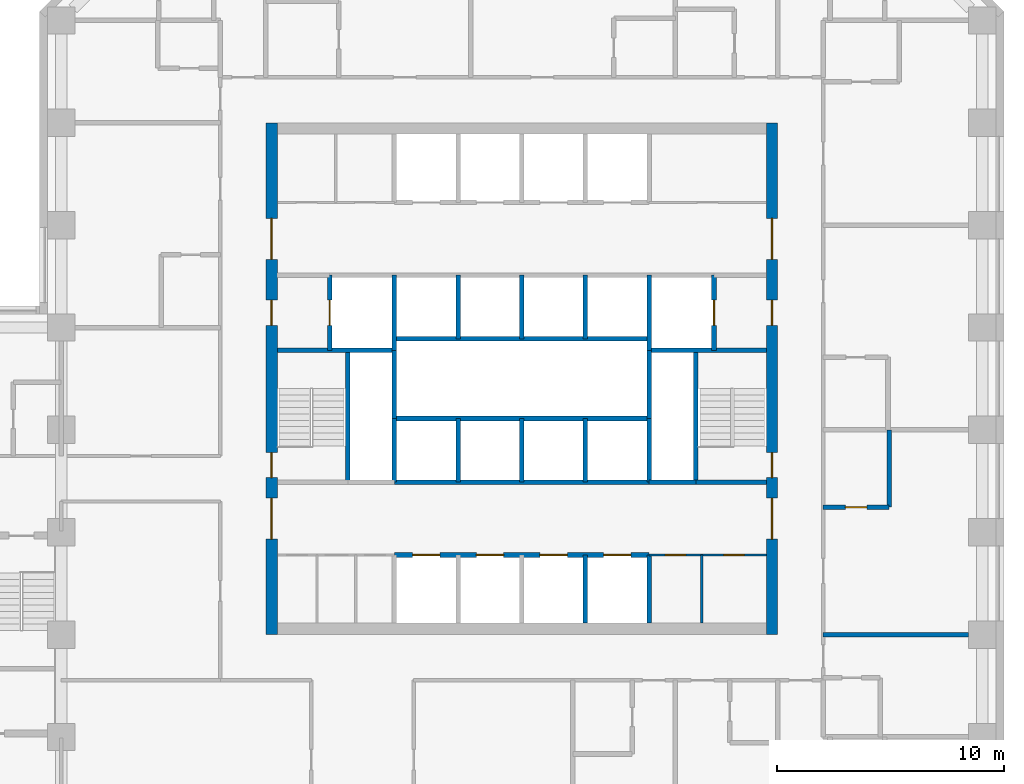
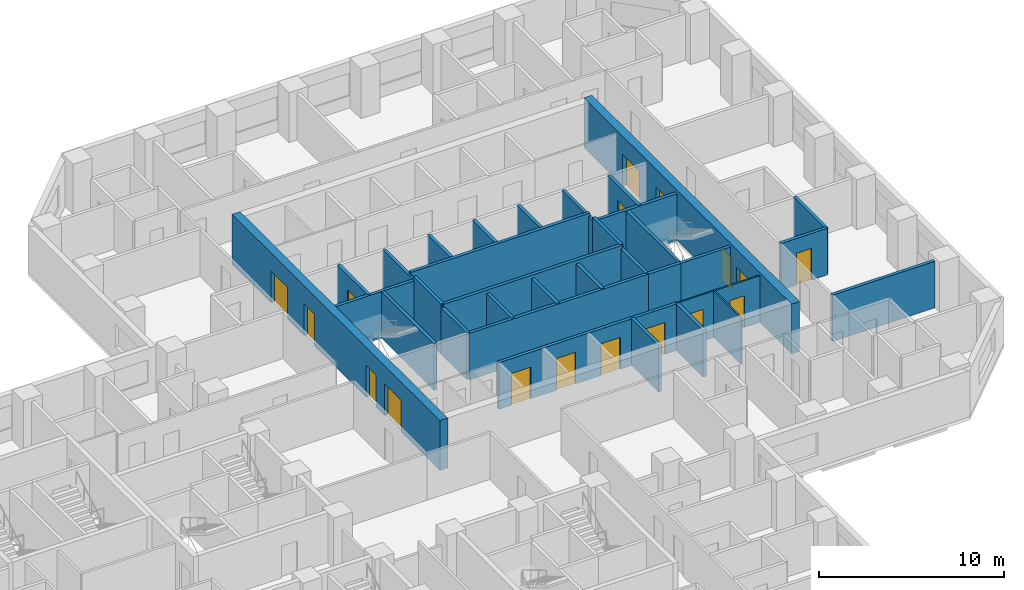
# One storey, part 8 of 12: 33 walls, 17 doors, 17 openings.
"""IFC4 building model written with IfcOpenShell, lengths in metres."""

from ifc_helpers import new_model, si_unit, direction, frame, frame_2d, origin, place, context, subcontext, project, spatial, rectangle, extrude, material, layer, layer_set, type_object, element, fill, save


model = new_model("IFC4")

# Units and contexts
model_context = context("Model", 3, precision=1e-05, world=origin(), true_north=direction((0.0, 1.0)))
body_context = subcontext(model_context, "Body", "Model", "MODEL_VIEW")
ifc_project = project(units=[si_unit("LENGTHUNIT", "METRE"), si_unit("AREAUNIT", "SQUARE_METRE"), si_unit("VOLUMEUNIT", "CUBIC_METRE"), si_unit("PLANEANGLEUNIT", "RADIAN"), si_unit("MASSUNIT", "GRAM", prefix="KILO")], contexts=[model_context])

# Site, building, storey
site_placement = place(None, origin())
site = spatial("IfcSite", under=ifc_project, at=site_placement, CompositionType="ELEMENT")
building_placement = place(site_placement, origin())
building = spatial("IfcBuilding", under=site, at=building_placement, Name="Quoin Convention Tower", CompositionType="ELEMENT")
storey_placement = place(building_placement, frame((0.0, 0.0, 59.39990234375)))
storey = spatial("IfcBuildingStorey", under=building, at=storey_placement, Name="L15", CompositionType="ELEMENT", Elevation=59.39990234375)

# Wall, openings, doors
ifc_material_1 = material(Name="Plasterboard")
ifc_layer_1 = layer(ifc_material_1, 0.012451171875, Name="Finish")
ifc_material_2 = material(Name="Steel stud framing", Category="steel")
ifc_layer_2 = layer(ifc_material_2, 0.074951171875, Name="Structure")
ifc_layer_3 = layer(ifc_material_1, 0.012451171875, Name="Finish")
ifc_layer_set_1 = layer_set([ifc_layer_1, ifc_layer_2, ifc_layer_3], Name="Steel stud framing")
wall_type_1 = type_object("IfcWallType", Name="Core partition wall", PredefinedType="PARTITIONING", material=ifc_layer_set_1)
wall_1_placement = place(storey_placement, frame((61.85009765625, 53.0, 0.0), z_axis=(0.0, 0.0, 1.0), x_axis=(1.0, 0.0, 0.0)))
wall_1 = element("IfcWall", 1, at=wall_1_placement, inside=storey, type_object=wall_type_1, Name="cr-C1-L15-h3500_16850", PredefinedType="PARTITIONING", context=body_context, shape_type="SweptSolid", body=[
    extrude(rectangle(XDim=5.14990234375, YDim=0.10009765625, at=frame_2d((2.574951171875, 0.0))), origin(), (0.0, 0.0, 1.0), 3.080078125),
])
opening_1_placement = place(wall_1_placement, frame((3.28369140625, 0.0, 0.0)))
opening_1 = element("IfcOpeningElement", 2, at=opening_1_placement, cuts=wall_1, Name="Opening DCV5-22", PredefinedType="OPENING", context=body_context, shape_type="SweptSolid", body=[
    extrude(rectangle(XDim=0.89990234375, YDim=2.10009765625, at=frame_2d((0.449951171875, 1.050048828125))), frame((0.0, 0.06005859375, 0.0), z_axis=(0.0, -1.0, 0.0), x_axis=(1.0, 0.0, 0.0)), (0.0, 0.0, 1.0), 0.1201171875),
])
opening_2_placement = place(wall_1_placement, frame((0.708740234375, 0.0, 0.0)))
opening_2 = element("IfcOpeningElement", 3, at=opening_2_placement, cuts=wall_1, Name="Opening DCV5-20", PredefinedType="OPENING", context=body_context, shape_type="SweptSolid", body=[
    extrude(rectangle(XDim=0.89990234375, YDim=2.10009765625, at=frame_2d((0.449951171875, 1.050048828125))), frame((0.0, 0.06005859375, 0.0), z_axis=(0.0, -1.0, 0.0), x_axis=(1.0, 0.0, 0.0)), (0.0, 0.0, 1.0), 0.1201171875),
])
ifc_material_3 = material(Name="Steel door leaf", Category="steel")
door_type_1 = type_object("IfcDoorType", Name="Core room door 900 x 2100", OperationType="SINGLE_SWING_LEFT", PredefinedType="DOOR", material=ifc_material_3)
door_1_placement = place(opening_1_placement, frame((0.89990234375, 0.0, 0.0), z_axis=(0.0, 0.0, 1.0), x_axis=(-1.0, 0.0, 0.0)))
door_1 = element("IfcDoor", 4, at=door_1_placement, inside=storey, type_object=door_type_1, Name="cd-C1-L15-CSE0-lobA-CD1510", OperationType="SINGLE_SWING_LEFT", OverallHeight=2.10009765625, OverallWidth=0.89990234375, PredefinedType="DOOR", context=body_context, shape_type="SweptSolid", body=[
    extrude(rectangle(XDim=0.89990234375, YDim=2.10009765625, at=frame_2d((0.449951171875, 1.050048828125))), frame((0.0, 0.02490234375, 0.0), z_axis=(0.0, -1.0, 0.0), x_axis=(1.0, 0.0, 0.0)), (0.0, 0.0, 1.0), 0.050048828125),
])
fill(opening_1, door_1)
door_2_placement = place(opening_2_placement, frame((0.89990234375, 0.0, 0.0), z_axis=(0.0, 0.0, 1.0), x_axis=(-1.0, 0.0, 0.0)))
door_2 = element("IfcDoor", 5, at=door_2_placement, inside=storey, type_object=door_type_1, Name="cd-C1-L15-CSE1-lobA-CD1511", OperationType="SINGLE_SWING_RIGHT", OverallHeight=2.10009765625, OverallWidth=0.89990234375, PredefinedType="DOOR", context=body_context, shape_type="SweptSolid", body=[
    extrude(rectangle(XDim=0.89990234375, YDim=2.10009765625, at=frame_2d((0.449951171875, 1.050048828125))), frame((0.0, 0.02490234375, 0.0), z_axis=(0.0, -1.0, 0.0), x_axis=(1.0, 0.0, 0.0)), (0.0, 0.0, 1.0), 0.050048828125),
])
fill(opening_2, door_2)

# Wall
wall_2_placement = place(storey_placement, frame((64.16748046875, 50.0, 0.0), z_axis=(0.0, 0.0, 1.0), x_axis=(0.0, 1.0, 0.0)))
element("IfcWall", 6, at=wall_2_placement, inside=storey, type_object=wall_type_1, Name="cr-C1-L15-v19168_500", PredefinedType="PARTITIONING", context=body_context, shape_type="SweptSolid", body=[
    extrude(rectangle(XDim=3.0, YDim=0.10009765625, at=frame_2d((1.5, 0.0))), origin(), (0.0, 0.0, 1.0), 3.080078125),
])

# Wall, openings, doors
ifc_material_4 = material(Name="Concrete C50", Category="concrete")
ifc_layer_4 = layer(ifc_material_4, 0.199951171875)
ifc_layer_set_2 = layer_set([ifc_layer_4], Name="Concrete C50")
wall_type_2 = type_object("IfcWallType", Name="Core shaft wall", PredefinedType="SOLIDWALL", material=ifc_layer_set_2)
wall_3_placement = place(storey_placement, frame((50.64990234375, 53.0, 0.0), z_axis=(0.0, 0.0, 1.0), x_axis=(1.0, 0.0, 0.0)))
wall_3 = element("IfcWall", 7, at=wall_3_placement, inside=storey, type_object=wall_type_2, Name="cr-C1-L15-h3500_5650", PredefinedType="SOLIDWALL", context=body_context, shape_type="SweptSolid", body=[
    extrude(rectangle(XDim=11.2001953125, YDim=0.199951171875, at=frame_2d((5.60009765625, 0.0))), origin(), (0.0, 0.0, 1.0), 3.080078125),
])
opening_3_placement = place(wall_3_placement, frame((0.800048828125, 0.0, 0.0)))
opening_3 = element("IfcOpeningElement", 8, at=opening_3_placement, cuts=wall_3, Name="Opening LDL1", PredefinedType="OPENING", context=body_context, shape_type="SweptSolid", body=[
    extrude(rectangle(XDim=1.199951171875, YDim=2.10009765625, at=frame_2d((0.60009765625, 1.050048828125))), frame((0.0, 0.10986328125, 0.0), z_axis=(0.0, -1.0, 0.0), x_axis=(1.0, 0.0, 0.0)), (0.0, 0.0, 1.0), 0.219970703125),
])
opening_4_placement = place(wall_3_placement, frame((3.60009765625, 0.0, 0.0)))
opening_4 = element("IfcOpeningElement", 9, at=opening_4_placement, cuts=wall_3, Name="Opening LDL2", PredefinedType="OPENING", context=body_context, shape_type="SweptSolid", body=[
    extrude(rectangle(XDim=1.199951171875, YDim=2.10009765625, at=frame_2d((0.60009765625, 1.050048828125))), frame((0.0, 0.10986328125, 0.0), z_axis=(0.0, -1.0, 0.0), x_axis=(1.0, 0.0, 0.0)), (0.0, 0.0, 1.0), 0.219970703125),
])
opening_5_placement = place(wall_3_placement, frame((6.39990234375, 0.0, 0.0)))
opening_5 = element("IfcOpeningElement", 10, at=opening_5_placement, cuts=wall_3, Name="Opening LDL3", PredefinedType="OPENING", context=body_context, shape_type="SweptSolid", body=[
    extrude(rectangle(XDim=1.199951171875, YDim=2.10009765625, at=frame_2d((0.60009765625, 1.050048828125))), frame((0.0, 0.10986328125, 0.0), z_axis=(0.0, -1.0, 0.0), x_axis=(1.0, 0.0, 0.0)), (0.0, 0.0, 1.0), 0.219970703125),
])
opening_6_placement = place(wall_3_placement, frame((9.199951171875, 0.0, 0.0)))
opening_6 = element("IfcOpeningElement", 11, at=opening_6_placement, cuts=wall_3, Name="Opening LDL4", PredefinedType="OPENING", context=body_context, shape_type="SweptSolid", body=[
    extrude(rectangle(XDim=1.199951171875, YDim=2.10009765625, at=frame_2d((0.60009765625, 1.050048828125))), frame((0.0, 0.10986328125, 0.0), z_axis=(0.0, -1.0, 0.0), x_axis=(1.0, 0.0, 0.0)), (0.0, 0.0, 1.0), 0.219970703125),
])
door_type_2 = type_object("IfcDoorType", Name="Lift landing door 1200 x 2100", OperationType="DOUBLE_DOOR_SLIDING", PredefinedType="DOOR", material=ifc_material_3)
door_3_placement = place(opening_3_placement, origin())
door_3 = element("IfcDoor", 12, at=door_3_placement, inside=storey, type_object=door_type_2, Name="cd-C1-L15-R10-lobA-LDL1", OperationType="DOUBLE_DOOR_SLIDING", OverallHeight=2.10009765625, OverallWidth=1.199951171875, PredefinedType="DOOR", context=body_context, shape_type="SweptSolid", body=[
    extrude(rectangle(XDim=1.199951171875, YDim=2.10009765625, at=frame_2d((0.60009765625, 1.050048828125))), frame((0.0, 0.02490234375, 0.0), z_axis=(0.0, -1.0, 0.0), x_axis=(1.0, 0.0, 0.0)), (0.0, 0.0, 1.0), 0.050048828125),
])
fill(opening_3, door_3)
door_4_placement = place(opening_4_placement, origin())
door_4 = element("IfcDoor", 13, at=door_4_placement, inside=storey, type_object=door_type_2, Name="cd-C1-L15-R11-lobA-LDL2", OperationType="DOUBLE_DOOR_SLIDING", OverallHeight=2.10009765625, OverallWidth=1.199951171875, PredefinedType="DOOR", context=body_context, shape_type="SweptSolid", body=[
    extrude(rectangle(XDim=1.199951171875, YDim=2.10009765625, at=frame_2d((0.60009765625, 1.050048828125))), frame((0.0, 0.02490234375, 0.0), z_axis=(0.0, -1.0, 0.0), x_axis=(1.0, 0.0, 0.0)), (0.0, 0.0, 1.0), 0.050048828125),
])
fill(opening_4, door_4)
door_5_placement = place(opening_5_placement, origin())
door_5 = element("IfcDoor", 14, at=door_5_placement, inside=storey, type_object=door_type_2, Name="cd-C1-L15-R12-lobA-LDL3", OperationType="DOUBLE_DOOR_SLIDING", OverallHeight=2.10009765625, OverallWidth=1.199951171875, PredefinedType="DOOR", context=body_context, shape_type="SweptSolid", body=[
    extrude(rectangle(XDim=1.199951171875, YDim=2.10009765625, at=frame_2d((0.60009765625, 1.050048828125))), frame((0.0, 0.02490234375, 0.0), z_axis=(0.0, -1.0, 0.0), x_axis=(1.0, 0.0, 0.0)), (0.0, 0.0, 1.0), 0.050048828125),
])
fill(opening_5, door_5)
door_6_placement = place(opening_6_placement, origin())
door_6 = element("IfcDoor", 15, at=door_6_placement, inside=storey, type_object=door_type_2, Name="cd-C1-L15-R13-lobA-LDL4", OperationType="DOUBLE_DOOR_SLIDING", OverallHeight=2.10009765625, OverallWidth=1.199951171875, PredefinedType="DOOR", context=body_context, shape_type="SweptSolid", body=[
    extrude(rectangle(XDim=1.199951171875, YDim=2.10009765625, at=frame_2d((0.60009765625, 1.050048828125))), frame((0.0, 0.02490234375, 0.0), z_axis=(0.0, -1.0, 0.0), x_axis=(1.0, 0.0, 0.0)), (0.0, 0.0, 1.0), 0.050048828125),
])
fill(opening_6, door_6)

# Walls
wall_4_placement = place(storey_placement, frame((61.85009765625, 56.199951171875, 0.0), z_axis=(0.0, 0.0, 1.0), x_axis=(1.0, 0.0, 0.0)))
element("IfcWall", 16, at=wall_4_placement, inside=storey, type_object=wall_type_2, Name="cr-C1-L15-h6700_16850", PredefinedType="SOLIDWALL", context=body_context, shape_type="SweptSolid", body=[
    extrude(rectangle(XDim=2.0498046875, YDim=0.199951171875, at=frame_2d((1.02490234375, 0.0))), origin(), (0.0, 0.0, 1.0), 3.080078125),
])
wall_5_placement = place(storey_placement, frame((50.64990234375, 56.199951171875, 0.0), z_axis=(0.0, 0.0, 1.0), x_axis=(1.0, 0.0, 0.0)))
element("IfcWall", 17, at=wall_5_placement, inside=storey, type_object=wall_type_2, Name="cr-C1-L15-h6700_5650", PredefinedType="SOLIDWALL", context=body_context, shape_type="SweptSolid", body=[
    extrude(rectangle(XDim=11.2001953125, YDim=0.199951171875, at=frame_2d((5.60009765625, 0.0))), origin(), (0.0, 0.0, 1.0), 3.080078125),
])
wall_6_placement = place(storey_placement, frame((63.89990234375, 56.199951171875, 0.0), z_axis=(0.0, 0.0, 1.0), x_axis=(1.0, 0.0, 0.0)))
element("IfcWall", 18, at=wall_6_placement, inside=storey, type_object=wall_type_2, Name="cr-C1-L15-h6700_18900", PredefinedType="SOLIDWALL", context=body_context, shape_type="SweptSolid", body=[
    extrude(rectangle(XDim=3.10009765625, YDim=0.199951171875, at=frame_2d((1.550048828125, 0.0))), origin(), (0.0, 0.0, 1.0), 3.080078125),
])
for number, where, z_axis, x_axis, name in (
    (19, (45.5, 62.0, 0.0), (0.0, 0.0, 1.0), (1.0, 0.0, 0.0), "cr-C1-L15-h12500_500"),
    (20, (61.85009765625, 62.0, 0.0), (0.0, 0.0, 1.0), (1.0, 0.0, 0.0), "cr-C1-L15-h12500_16850"),
):
    element("IfcWall", number, at=place(storey_placement, frame(where, z_axis=z_axis, x_axis=x_axis)), inside=storey, type_object=wall_type_2, Name=name, PredefinedType="SOLIDWALL", context=body_context, shape_type="SweptSolid", body=[
        extrude(rectangle(XDim=5.14990234375, YDim=0.199951171875, at=frame_2d((2.574951171875, 0.0))), origin(), (0.0, 0.0, 1.0), 3.080078125),
    ])

# Wall, opening, door
wall_7_placement = place(storey_placement, frame((47.800048828125, 62.0, 0.0), z_axis=(0.0, 0.0, 1.0), x_axis=(0.0, 1.0, 0.0)))
wall_7 = element("IfcWall", 21, at=wall_7_placement, inside=storey, type_object=wall_type_2, Name="cr-C1-L15-v2800_12500", PredefinedType="SOLIDWALL", context=body_context, shape_type="SweptSolid", body=[
    extrude(rectangle(XDim=3.300048828125, YDim=0.199951171875, at=frame_2d((1.64990234375, 0.0))), origin(), (0.0, 0.0, 1.0), 3.080078125),
])
opening_7_placement = place(wall_7_placement, frame((1.10009765625, 0.0, 0.0)))
opening_7 = element("IfcOpeningElement", 22, at=opening_7_placement, cuts=wall_7, Name="Opening LDFL1", PredefinedType="OPENING", context=body_context, shape_type="SweptSolid", body=[
    extrude(rectangle(XDim=1.10009765625, YDim=2.10009765625, at=frame_2d((0.550048828125, 1.050048828125))), frame((0.0, 0.10986328125, 0.0), z_axis=(0.0, -1.0, 0.0), x_axis=(1.0, 0.0, 0.0)), (0.0, 0.0, 1.0), 0.219970703125),
])
door_type_3 = type_object("IfcDoorType", Name="Lift landing door 1100 x 2100", OperationType="DOUBLE_DOOR_SLIDING", PredefinedType="DOOR", material=ifc_material_3)
door_7_placement = place(opening_7_placement, origin())
door_7 = element("IfcDoor", 23, at=door_7_placement, inside=storey, type_object=door_type_3, Name="cd-C1-L15-FLW-FFW-LDFL1", OperationType="DOUBLE_DOOR_SLIDING", OverallHeight=2.10009765625, OverallWidth=1.10009765625, PredefinedType="DOOR", context=body_context, shape_type="SweptSolid", body=[
    extrude(rectangle(XDim=1.10009765625, YDim=2.10009765625, at=frame_2d((0.550048828125, 1.050048828125))), frame((0.0, 0.02490234375, 0.0), z_axis=(0.0, -1.0, 0.0), x_axis=(1.0, 0.0, 0.0)), (0.0, 0.0, 1.0), 0.050048828125),
])
fill(opening_7, door_7)

# Walls
wall_8_placement = place(storey_placement, frame((48.60009765625, 56.199951171875, 0.0), z_axis=(0.0, 0.0, 1.0), x_axis=(0.0, 1.0, 0.0)))
element("IfcWall", 24, at=wall_8_placement, inside=storey, type_object=wall_type_2, Name="cr-C1-L15-v3600_6700", PredefinedType="SOLIDWALL", context=body_context, shape_type="SweptSolid", body=[
    extrude(rectangle(XDim=5.800048828125, YDim=0.199951171875, at=frame_2d((2.89990234375, 0.0))), origin(), (0.0, 0.0, 1.0), 3.080078125),
])
wall_9_placement = place(storey_placement, frame((50.64990234375, 56.199951171875, 0.0), z_axis=(0.0, 0.0, 1.0), x_axis=(0.0, 1.0, 0.0)))
element("IfcWall", 25, at=wall_9_placement, inside=storey, type_object=wall_type_2, Name="cr-C1-L15-v5650_6700", PredefinedType="SOLIDWALL", context=body_context, shape_type="SweptSolid", body=[
    extrude(rectangle(XDim=2.800048828125, YDim=0.199951171875, at=frame_2d((1.39990234375, 0.0))), origin(), (0.0, 0.0, 1.0), 3.080078125),
])
wall_10_placement = place(storey_placement, frame((50.64990234375, 62.0, 0.0), z_axis=(0.0, 0.0, 1.0), x_axis=(0.0, 1.0, 0.0)))
element("IfcWall", 26, at=wall_10_placement, inside=storey, type_object=wall_type_2, Name="cr-C1-L15-v5650_12500", PredefinedType="SOLIDWALL", context=body_context, shape_type="SweptSolid", body=[
    extrude(rectangle(XDim=3.300048828125, YDim=0.199951171875, at=frame_2d((1.64990234375, 0.0))), origin(), (0.0, 0.0, 1.0), 3.080078125),
])
for number, where, z_axis, x_axis, name in (
    (27, (53.449951171875, 56.199951171875, 0.0), (0.0, 0.0, 1.0), (0.0, 1.0, 0.0), "cr-C1-L15-v8450_6700"),
    (28, (53.449951171875, 62.5, 0.0), (0.0, 0.0, 1.0), (0.0, 1.0, 0.0), "cr-C1-L15-v8450_13000"),
    (29, (56.25, 56.199951171875, 0.0), (0.0, 0.0, 1.0), (0.0, 1.0, 0.0), "cr-C1-L15-v11250_6700"),
    (30, (56.25, 62.5, 0.0), (0.0, 0.0, 1.0), (0.0, 1.0, 0.0), "cr-C1-L15-v11250_13000"),
):
    element("IfcWall", number, at=place(storey_placement, frame(where, z_axis=z_axis, x_axis=x_axis)), inside=storey, type_object=wall_type_2, Name=name, PredefinedType="SOLIDWALL", context=body_context, shape_type="SweptSolid", body=[
        extrude(rectangle(XDim=2.800048828125, YDim=0.199951171875, at=frame_2d((1.39990234375, 0.0))), origin(), (0.0, 0.0, 1.0), 3.080078125),
    ])
wall_11_placement = place(storey_placement, frame((59.050048828125, 50.0, 0.0), z_axis=(0.0, 0.0, 1.0), x_axis=(0.0, 1.0, 0.0)))
element("IfcWall", 31, at=wall_11_placement, inside=storey, type_object=wall_type_2, Name="cr-C1-L15-v14050_500", PredefinedType="SOLIDWALL", context=body_context, shape_type="SweptSolid", body=[
    extrude(rectangle(XDim=3.0, YDim=0.199951171875, at=frame_2d((1.5, 0.0))), origin(), (0.0, 0.0, 1.0), 3.080078125),
])
for number, where, z_axis, x_axis, name in (
    (32, (59.050048828125, 56.199951171875, 0.0), (0.0, 0.0, 1.0), (0.0, 1.0, 0.0), "cr-C1-L15-v14050_6700"),
    (33, (59.050048828125, 62.5, 0.0), (0.0, 0.0, 1.0), (0.0, 1.0, 0.0), "cr-C1-L15-v14050_13000"),
):
    element("IfcWall", number, at=place(storey_placement, frame(where, z_axis=z_axis, x_axis=x_axis)), inside=storey, type_object=wall_type_2, Name=name, PredefinedType="SOLIDWALL", context=body_context, shape_type="SweptSolid", body=[
        extrude(rectangle(XDim=2.800048828125, YDim=0.199951171875, at=frame_2d((1.39990234375, 0.0))), origin(), (0.0, 0.0, 1.0), 3.080078125),
    ])
wall_12_placement = place(storey_placement, frame((61.85009765625, 50.0, 0.0), z_axis=(0.0, 0.0, 1.0), x_axis=(0.0, 1.0, 0.0)))
element("IfcWall", 34, at=wall_12_placement, inside=storey, type_object=wall_type_2, Name="cr-C1-L15-v16850_500", PredefinedType="SOLIDWALL", context=body_context, shape_type="SweptSolid", body=[
    extrude(rectangle(XDim=3.0, YDim=0.199951171875, at=frame_2d((1.5, 0.0))), origin(), (0.0, 0.0, 1.0), 3.080078125),
])
wall_13_placement = place(storey_placement, frame((61.85009765625, 56.199951171875, 0.0), z_axis=(0.0, 0.0, 1.0), x_axis=(0.0, 1.0, 0.0)))
element("IfcWall", 35, at=wall_13_placement, inside=storey, type_object=wall_type_2, Name="cr-C1-L15-v16850_6700", PredefinedType="SOLIDWALL", context=body_context, shape_type="SweptSolid", body=[
    extrude(rectangle(XDim=2.800048828125, YDim=0.199951171875, at=frame_2d((1.39990234375, 0.0))), origin(), (0.0, 0.0, 1.0), 3.080078125),
])
wall_14_placement = place(storey_placement, frame((61.85009765625, 62.0, 0.0), z_axis=(0.0, 0.0, 1.0), x_axis=(0.0, 1.0, 0.0)))
element("IfcWall", 36, at=wall_14_placement, inside=storey, type_object=wall_type_2, Name="cr-C1-L15-v16850_12500", PredefinedType="SOLIDWALL", context=body_context, shape_type="SweptSolid", body=[
    extrude(rectangle(XDim=3.300048828125, YDim=0.199951171875, at=frame_2d((1.64990234375, 0.0))), origin(), (0.0, 0.0, 1.0), 3.080078125),
])
wall_15_placement = place(storey_placement, frame((63.89990234375, 56.199951171875, 0.0), z_axis=(0.0, 0.0, 1.0), x_axis=(0.0, 1.0, 0.0)))
element("IfcWall", 37, at=wall_15_placement, inside=storey, type_object=wall_type_2, Name="cr-C1-L15-v18900_6700", PredefinedType="SOLIDWALL", context=body_context, shape_type="SweptSolid", body=[
    extrude(rectangle(XDim=5.800048828125, YDim=0.199951171875, at=frame_2d((2.89990234375, 0.0))), origin(), (0.0, 0.0, 1.0), 3.080078125),
])

# Wall, opening, door
wall_16_placement = place(storey_placement, frame((64.699951171875, 62.0, 0.0), z_axis=(0.0, 0.0, 1.0), x_axis=(0.0, 1.0, 0.0)))
wall_16 = element("IfcWall", 38, at=wall_16_placement, inside=storey, type_object=wall_type_2, Name="cr-C1-L15-v19700_12500", PredefinedType="SOLIDWALL", context=body_context, shape_type="SweptSolid", body=[
    extrude(rectangle(XDim=3.300048828125, YDim=0.199951171875, at=frame_2d((1.64990234375, 0.0))), origin(), (0.0, 0.0, 1.0), 3.080078125),
])
opening_8_placement = place(wall_16_placement, frame((1.10009765625, 0.0, 0.0)))
opening_8 = element("IfcOpeningElement", 39, at=opening_8_placement, cuts=wall_16, Name="Opening LDFL2", PredefinedType="OPENING", context=body_context, shape_type="SweptSolid", body=[
    extrude(rectangle(XDim=1.10009765625, YDim=2.10009765625, at=frame_2d((0.550048828125, 1.050048828125))), frame((0.0, 0.10986328125, 0.0), z_axis=(0.0, -1.0, 0.0), x_axis=(1.0, 0.0, 0.0)), (0.0, 0.0, 1.0), 0.219970703125),
])
door_8_placement = place(opening_8_placement, origin())
door_8 = element("IfcDoor", 40, at=door_8_placement, inside=storey, type_object=door_type_3, Name="cd-C1-L15-FLE-FFE-LDFL2", OperationType="DOUBLE_DOOR_SLIDING", OverallHeight=2.10009765625, OverallWidth=1.10009765625, PredefinedType="DOOR", context=body_context, shape_type="SweptSolid", body=[
    extrude(rectangle(XDim=1.10009765625, YDim=2.10009765625, at=frame_2d((0.550048828125, 1.050048828125))), frame((0.0, 0.02490234375, 0.0), z_axis=(0.0, -1.0, 0.0), x_axis=(1.0, 0.0, 0.0)), (0.0, 0.0, 1.0), 0.050048828125),
])
fill(opening_8, door_8)

# Walls
ifc_layer_5 = layer(ifc_material_4, 0.199951171875)
ifc_layer_set_3 = layer_set([ifc_layer_5], Name="Concrete C50")
wall_type_3 = type_object("IfcWallType", Name="Core shaft wall to the floor level over", PredefinedType="SOLIDWALL", material=ifc_layer_set_3)
for number, where, z_axis, x_axis, name in (
    (41, (50.64990234375, 59.0, 0.0), (0.0, 0.0, 1.0), (1.0, 0.0, 0.0), "cr-C1-L15-h9500_5650"),
    (42, (50.64990234375, 62.5, 0.0), (0.0, 0.0, 1.0), (1.0, 0.0, 0.0), "cr-C1-L15-h13000_5650"),
):
    element("IfcWall", number, at=place(storey_placement, frame(where, z_axis=z_axis, x_axis=x_axis)), inside=storey, type_object=wall_type_3, Name=name, PredefinedType="SOLIDWALL", context=body_context, shape_type="SweptSolid", body=[
        extrude(rectangle(XDim=11.2001953125, YDim=0.199951171875, at=frame_2d((5.60009765625, 0.0))), origin(), (0.0, 0.0, 1.0), 3.300048828125),
    ])
for number, where, z_axis, x_axis, name in (
    (43, (50.64990234375, 59.0, 0.0), (0.0, 0.0, 1.0), (0.0, 1.0, 0.0), "cr-C1-L15-v5650_9500"),
    (44, (61.85009765625, 59.0, 0.0), (0.0, 0.0, 1.0), (0.0, 1.0, 0.0), "cr-C1-L15-v16850_9500"),
):
    element("IfcWall", number, at=place(storey_placement, frame(where, z_axis=z_axis, x_axis=x_axis)), inside=storey, type_object=wall_type_3, Name=name, PredefinedType="SOLIDWALL", context=body_context, shape_type="SweptSolid", body=[
        extrude(rectangle(XDim=3.0, YDim=0.199951171875, at=frame_2d((1.5, 0.0))), origin(), (0.0, 0.0, 1.0), 3.300048828125),
    ])

# Wall, openings, doors
ifc_material_5 = material(Name="Concrete C80", Category="concrete")
ifc_layer_6 = layer(ifc_material_5, 0.5)
ifc_layer_set_4 = layer_set([ifc_layer_6], Name="Concrete C80")
wall_type_4 = type_object("IfcWallType", Name="RC CORE WALL 500 C80", PredefinedType="SHEAR", material=ifc_layer_set_4)
wall_17_placement = place(storey_placement, frame((45.25, 49.5, 0.0), z_axis=(0.0, 0.0, 1.0), x_axis=(0.0, 1.0, 0.0)))
wall_17 = element("IfcWall", 45, at=wall_17_placement, inside=storey, type_object=wall_type_4, Name="cwl-C1-L15-W", PredefinedType="SHEAR", context=body_context, shape_type="SweptSolid", body=[
    extrude(rectangle(XDim=22.5, YDim=0.5, at=frame_2d((11.25, 0.0))), origin(), (0.0, 0.0, 1.0), 3.300048828125),
])
opening_9_placement = place(wall_17_placement, frame((4.199951171875, 0.0, 0.0)))
opening_9 = element("IfcOpeningElement", 46, at=opening_9_placement, cuts=wall_17, Name="Opening DCV5-50", PredefinedType="OPENING", context=body_context, shape_type="SweptSolid", body=[
    extrude(rectangle(XDim=1.800048828125, YDim=2.10009765625, at=frame_2d((0.89990234375, 1.050048828125))), frame((0.0, 0.260009765625, 0.0), z_axis=(0.0, -1.0, 0.0), x_axis=(1.0, 0.0, 0.0)), (0.0, 0.0, 1.0), 0.52001953125),
])
opening_10_placement = place(wall_17_placement, frame((6.89990234375, 0.0, 0.0)))
opening_10 = element("IfcOpeningElement", 47, at=opening_10_placement, cuts=wall_17, Name="Opening SD1", PredefinedType="OPENING", context=body_context, shape_type="SweptSolid", body=[
    extrude(rectangle(XDim=1.10009765625, YDim=2.10009765625, at=frame_2d((0.550048828125, 1.050048828125))), frame((0.0, 0.260009765625, 0.0), z_axis=(0.0, -1.0, 0.0), x_axis=(1.0, 0.0, 0.0)), (0.0, 0.0, 1.0), 0.52001953125),
])
opening_11_placement = place(wall_17_placement, frame((13.60009765625, 0.0, 0.0)))
opening_11 = element("IfcOpeningElement", 48, at=opening_11_placement, cuts=wall_17, Name="Opening DCV5-49", PredefinedType="OPENING", context=body_context, shape_type="SweptSolid", body=[
    extrude(rectangle(XDim=1.10009765625, YDim=2.10009765625, at=frame_2d((0.550048828125, 1.050048828125))), frame((0.0, 0.260009765625, 0.0), z_axis=(0.0, -1.0, 0.0), x_axis=(1.0, 0.0, 0.0)), (0.0, 0.0, 1.0), 0.52001953125),
])
opening_12_placement = place(wall_17_placement, frame((16.5, 0.0, 0.0)))
opening_12 = element("IfcOpeningElement", 49, at=opening_12_placement, cuts=wall_17, Name="Opening DCV5-50", PredefinedType="OPENING", context=body_context, shape_type="SweptSolid", body=[
    extrude(rectangle(XDim=1.800048828125, YDim=2.10009765625, at=frame_2d((0.89990234375, 1.050048828125))), frame((0.0, 0.260009765625, 0.0), z_axis=(0.0, -1.0, 0.0), x_axis=(1.0, 0.0, 0.0)), (0.0, 0.0, 1.0), 0.52001953125),
])
door_type_4 = type_object("IfcDoorType", Name="Fire-fighting lobby door 1100 x 2100", OperationType="SINGLE_SWING_LEFT", PredefinedType="DOOR", material=ifc_material_3)
door_9_placement = place(opening_11_placement, frame((1.10009765625, 0.0, 0.0), z_axis=(0.0, 0.0, 1.0), x_axis=(-1.0, 0.0, 0.0)))
door_9 = element("IfcDoor", 50, at=door_9_placement, inside=storey, type_object=door_type_4, Name="cd-C1-L15-FFW-W", OperationType="SINGLE_SWING_LEFT", OverallHeight=2.10009765625, OverallWidth=1.10009765625, PredefinedType="DOOR", context=body_context, shape_type="SweptSolid", body=[
    extrude(rectangle(XDim=1.10009765625, YDim=2.10009765625, at=frame_2d((0.550048828125, 1.050048828125))), frame((0.0, 0.02490234375, 0.0), z_axis=(0.0, -1.0, 0.0), x_axis=(1.0, 0.0, 0.0)), (0.0, 0.0, 1.0), 0.050048828125),
])
fill(opening_11, door_9)
door_type_5 = type_object("IfcDoorType", Name="Lift lobby door 1800 x 2100", OperationType="SINGLE_SWING_LEFT", PredefinedType="DOOR", material=ifc_material_3)
door_10_placement = place(opening_9_placement, frame((1.800048828125, 0.0, 0.0), z_axis=(0.0, 0.0, 1.0), x_axis=(-1.0, 0.0, 0.0)))
door_10 = element("IfcDoor", 51, at=door_10_placement, inside=storey, type_object=door_type_5, Name="cd-C1-L15-lobA-W", OperationType="SINGLE_SWING_LEFT", OverallHeight=2.10009765625, OverallWidth=1.800048828125, PredefinedType="DOOR", context=body_context, shape_type="SweptSolid", body=[
    extrude(rectangle(XDim=1.800048828125, YDim=2.10009765625, at=frame_2d((0.89990234375, 1.050048828125))), frame((0.0, 0.02490234375, 0.0), z_axis=(0.0, -1.0, 0.0), x_axis=(1.0, 0.0, 0.0)), (0.0, 0.0, 1.0), 0.050048828125),
])
fill(opening_9, door_10)
door_11_placement = place(opening_12_placement, frame((1.800048828125, 0.0, 0.0), z_axis=(0.0, 0.0, 1.0), x_axis=(-1.0, 0.0, 0.0)))
door_11 = element("IfcDoor", 52, at=door_11_placement, inside=storey, type_object=door_type_5, Name="cd-C1-L15-lobB-W", OperationType="SINGLE_SWING_LEFT", OverallHeight=2.10009765625, OverallWidth=1.800048828125, PredefinedType="DOOR", context=body_context, shape_type="SweptSolid", body=[
    extrude(rectangle(XDim=1.800048828125, YDim=2.10009765625, at=frame_2d((0.89990234375, 1.050048828125))), frame((0.0, 0.02490234375, 0.0), z_axis=(0.0, -1.0, 0.0), x_axis=(1.0, 0.0, 0.0)), (0.0, 0.0, 1.0), 0.050048828125),
])
fill(opening_12, door_11)
door_type_6 = type_object("IfcDoorType", Name="Stair door 1100 x 2100", OperationType="SINGLE_SWING_RIGHT", PredefinedType="DOOR", material=ifc_material_3)
door_12_placement = place(opening_10_placement, frame((1.10009765625, 0.0, 0.0), z_axis=(0.0, 0.0, 1.0), x_axis=(-1.0, 0.0, 0.0)))
door_12 = element("IfcDoor", 53, at=door_12_placement, inside=storey, type_object=door_type_6, Name="cd-C1-L15-STW-W", OperationType="SINGLE_SWING_RIGHT", OverallHeight=2.10009765625, OverallWidth=1.10009765625, PredefinedType="DOOR", context=body_context, shape_type="SweptSolid", body=[
    extrude(rectangle(XDim=1.10009765625, YDim=2.10009765625, at=frame_2d((0.550048828125, 1.050048828125))), frame((0.0, 0.02490234375, 0.0), z_axis=(0.0, -1.0, 0.0), x_axis=(1.0, 0.0, 0.0)), (0.0, 0.0, 1.0), 0.050048828125),
])
fill(opening_10, door_12)

wall_18_placement = place(storey_placement, frame((67.25, 49.5, 0.0), z_axis=(0.0, 0.0, 1.0), x_axis=(0.0, 1.0, 0.0)))
wall_18 = element("IfcWall", 54, at=wall_18_placement, inside=storey, type_object=wall_type_4, Name="cwl-C1-L15-E", PredefinedType="SHEAR", context=body_context, shape_type="SweptSolid", body=[
    extrude(rectangle(XDim=22.5, YDim=0.5, at=frame_2d((11.25, 0.0))), origin(), (0.0, 0.0, 1.0), 3.300048828125),
])
opening_13_placement = place(wall_18_placement, frame((4.199951171875, 0.0, 0.0)))
opening_13 = element("IfcOpeningElement", 55, at=opening_13_placement, cuts=wall_18, Name="Opening DCV5-48", PredefinedType="OPENING", context=body_context, shape_type="SweptSolid", body=[
    extrude(rectangle(XDim=1.800048828125, YDim=2.10009765625, at=frame_2d((0.89990234375, 1.050048828125))), frame((0.0, 0.260009765625, 0.0), z_axis=(0.0, -1.0, 0.0), x_axis=(1.0, 0.0, 0.0)), (0.0, 0.0, 1.0), 0.52001953125),
])
opening_14_placement = place(wall_18_placement, frame((6.89990234375, 0.0, 0.0)))
opening_14 = element("IfcOpeningElement", 56, at=opening_14_placement, cuts=wall_18, Name="Opening SD2", PredefinedType="OPENING", context=body_context, shape_type="SweptSolid", body=[
    extrude(rectangle(XDim=1.10009765625, YDim=2.10009765625, at=frame_2d((0.550048828125, 1.050048828125))), frame((0.0, 0.260009765625, 0.0), z_axis=(0.0, -1.0, 0.0), x_axis=(1.0, 0.0, 0.0)), (0.0, 0.0, 1.0), 0.52001953125),
])
opening_15_placement = place(wall_18_placement, frame((13.60009765625, 0.0, 0.0)))
opening_15 = element("IfcOpeningElement", 57, at=opening_15_placement, cuts=wall_18, Name="Opening DCV5-47", PredefinedType="OPENING", context=body_context, shape_type="SweptSolid", body=[
    extrude(rectangle(XDim=1.10009765625, YDim=2.10009765625, at=frame_2d((0.550048828125, 1.050048828125))), frame((0.0, 0.260009765625, 0.0), z_axis=(0.0, -1.0, 0.0), x_axis=(1.0, 0.0, 0.0)), (0.0, 0.0, 1.0), 0.52001953125),
])
opening_16_placement = place(wall_18_placement, frame((16.5, 0.0, 0.0)))
opening_16 = element("IfcOpeningElement", 58, at=opening_16_placement, cuts=wall_18, Name="Opening DCV5-48", PredefinedType="OPENING", context=body_context, shape_type="SweptSolid", body=[
    extrude(rectangle(XDim=1.800048828125, YDim=2.10009765625, at=frame_2d((0.89990234375, 1.050048828125))), frame((0.0, 0.260009765625, 0.0), z_axis=(0.0, -1.0, 0.0), x_axis=(1.0, 0.0, 0.0)), (0.0, 0.0, 1.0), 0.52001953125),
])
door_13_placement = place(opening_15_placement, origin())
door_13 = element("IfcDoor", 59, at=door_13_placement, inside=storey, type_object=door_type_4, Name="cd-C1-L15-FFE-E", OperationType="SINGLE_SWING_RIGHT", OverallHeight=2.10009765625, OverallWidth=1.10009765625, PredefinedType="DOOR", context=body_context, shape_type="SweptSolid", body=[
    extrude(rectangle(XDim=1.10009765625, YDim=2.10009765625, at=frame_2d((0.550048828125, 1.050048828125))), frame((0.0, 0.02490234375, 0.0), z_axis=(0.0, -1.0, 0.0), x_axis=(1.0, 0.0, 0.0)), (0.0, 0.0, 1.0), 0.050048828125),
])
fill(opening_15, door_13)
door_14_placement = place(opening_13_placement, origin())
door_14 = element("IfcDoor", 60, at=door_14_placement, inside=storey, type_object=door_type_5, Name="cd-C1-L15-lobA-E", OperationType="SINGLE_SWING_RIGHT", OverallHeight=2.10009765625, OverallWidth=1.800048828125, PredefinedType="DOOR", context=body_context, shape_type="SweptSolid", body=[
    extrude(rectangle(XDim=1.800048828125, YDim=2.10009765625, at=frame_2d((0.89990234375, 1.050048828125))), frame((0.0, 0.02490234375, 0.0), z_axis=(0.0, -1.0, 0.0), x_axis=(1.0, 0.0, 0.0)), (0.0, 0.0, 1.0), 0.050048828125),
])
fill(opening_13, door_14)
door_15_placement = place(opening_16_placement, origin())
door_15 = element("IfcDoor", 61, at=door_15_placement, inside=storey, type_object=door_type_5, Name="cd-C1-L15-lobB-E", OperationType="SINGLE_SWING_RIGHT", OverallHeight=2.10009765625, OverallWidth=1.800048828125, PredefinedType="DOOR", context=body_context, shape_type="SweptSolid", body=[
    extrude(rectangle(XDim=1.800048828125, YDim=2.10009765625, at=frame_2d((0.89990234375, 1.050048828125))), frame((0.0, 0.02490234375, 0.0), z_axis=(0.0, -1.0, 0.0), x_axis=(1.0, 0.0, 0.0)), (0.0, 0.0, 1.0), 0.050048828125),
])
fill(opening_16, door_15)
door_16_placement = place(opening_14_placement, origin())
door_16 = element("IfcDoor", 62, at=door_16_placement, inside=storey, type_object=door_type_6, Name="cd-C1-L15-STE-E", OperationType="SINGLE_SWING_LEFT", OverallHeight=2.10009765625, OverallWidth=1.10009765625, PredefinedType="DOOR", context=body_context, shape_type="SweptSolid", body=[
    extrude(rectangle(XDim=1.10009765625, YDim=2.10009765625, at=frame_2d((0.550048828125, 1.050048828125))), frame((0.0, 0.02490234375, 0.0), z_axis=(0.0, -1.0, 0.0), x_axis=(1.0, 0.0, 0.0)), (0.0, 0.0, 1.0), 0.050048828125),
])
fill(opening_14, door_16)

# Wall
ifc_layer_7 = layer(ifc_material_4, 0.199951171875)
ifc_layer_set_5 = layer_set([ifc_layer_7], Name="Concrete C50")
wall_type_5 = type_object("IfcWallType", Name="RC party wall", PredefinedType="SOLIDWALL", material=ifc_layer_set_5)
wall_19_placement = place(storey_placement, frame((69.5, 49.5, 0.0), z_axis=(0.0, 0.0, 1.0), x_axis=(1.0, 0.0, 0.0)))
element("IfcWall", 63, at=wall_19_placement, inside=storey, type_object=wall_type_5, Name="pw-L15-105", PredefinedType="SOLIDWALL", context=body_context, shape_type="SweptSolid", body=[
    extrude(rectangle(XDim=6.39990234375, YDim=0.199951171875, at=frame_2d((3.199951171875, 0.0))), origin(), (0.0, 0.0, 1.0), 3.080078125),
])

# Wall, opening, door
wall_20_placement = place(storey_placement, frame((69.5, 55.10009765625, 0.0), z_axis=(0.0, 0.0, 1.0), x_axis=(1.0, 0.0, 0.0)))
wall_20 = element("IfcWall", 64, at=wall_20_placement, inside=storey, type_object=wall_type_5, Name="pw-L15-107", PredefinedType="SOLIDWALL", context=body_context, shape_type="SweptSolid", body=[
    extrude(rectangle(XDim=2.89990234375, YDim=0.199951171875, at=frame_2d((1.449951171875, 0.0))), origin(), (0.0, 0.0, 1.0), 3.080078125),
])
opening_17_placement = place(wall_20_placement, frame((0.97509765625, 0.0, 0.0)))
opening_17 = element("IfcOpeningElement", 65, at=opening_17_placement, cuts=wall_20, Name="Opening DHOTEL-D-62", PredefinedType="OPENING", context=body_context, shape_type="SweptSolid", body=[
    extrude(rectangle(XDim=0.949951171875, YDim=2.10009765625, at=frame_2d((0.47509765625, 1.050048828125))), frame((0.0, 0.10986328125, 0.0), z_axis=(0.0, -1.0, 0.0), x_axis=(1.0, 0.0, 0.0)), (0.0, 0.0, 1.0), 0.219970703125),
])
door_type_7 = type_object("IfcDoorType", Name="Accessible bathroom door", OperationType="SINGLE_SWING_LEFT", PredefinedType="DOOR", material=ifc_material_3)
door_17_placement = place(opening_17_placement, frame((0.949951171875, 0.0, 0.0), z_axis=(0.0, 0.0, 1.0), x_axis=(-1.0, 0.0, 0.0)))
door_17 = element("IfcDoor", 66, at=door_17_placement, inside=storey, type_object=door_type_7, Name="dr-L15-052", OperationType="SINGLE_SWING_RIGHT", OverallHeight=2.10009765625, OverallWidth=0.949951171875, PredefinedType="DOOR", context=body_context, shape_type="SweptSolid", body=[
    extrude(rectangle(XDim=0.949951171875, YDim=2.10009765625, at=frame_2d((0.47509765625, 1.050048828125))), frame((0.0, 0.02490234375, 0.0), z_axis=(0.0, -1.0, 0.0), x_axis=(1.0, 0.0, 0.0)), (0.0, 0.0, 1.0), 0.050048828125),
])
fill(opening_17, door_17)

# Wall
wall_21_placement = place(storey_placement, frame((72.39990234375, 55.10009765625, 0.0), z_axis=(0.0, 0.0, 1.0), x_axis=(0.0, 1.0, 0.0)))
element("IfcWall", 67, at=wall_21_placement, inside=storey, type_object=wall_type_5, Name="pw-L15-108", PredefinedType="SOLIDWALL", context=body_context, shape_type="SweptSolid", body=[
    extrude(rectangle(XDim=3.39990234375, YDim=0.199951171875, at=frame_2d((1.699951171875, 0.0))), origin(), (0.0, 0.0, 1.0), 3.080078125),
])

save(model, "model.ifc")
